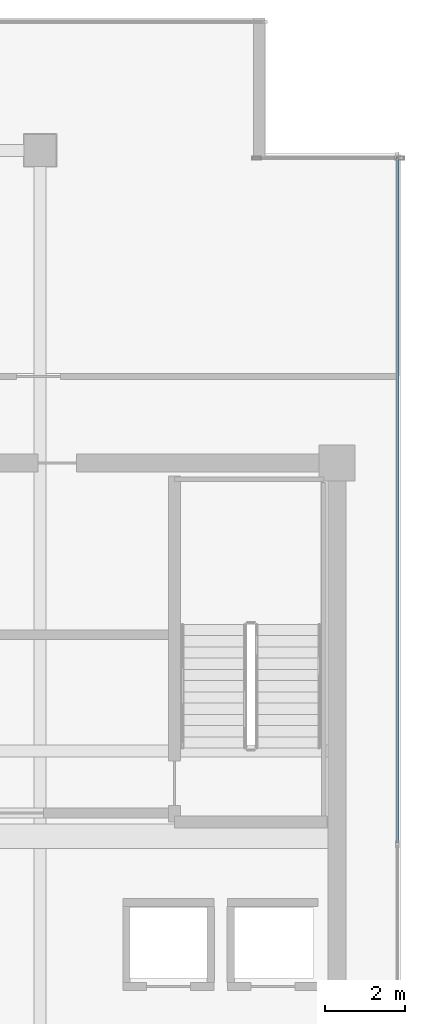
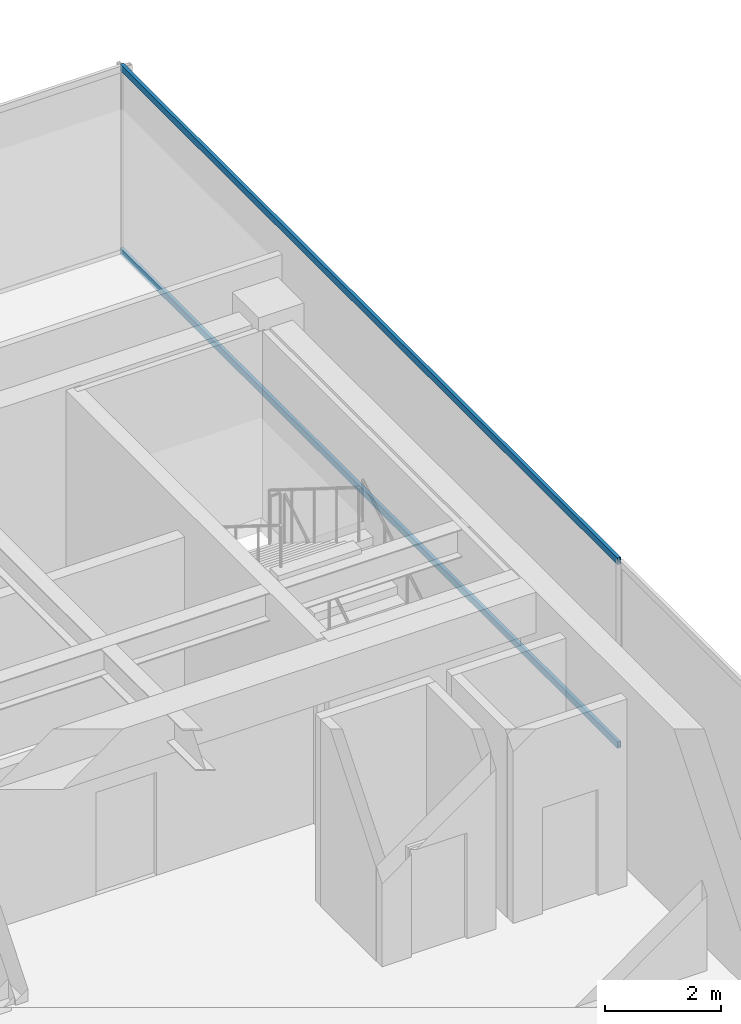
# One storey, part 18 of 34: 2 members, 1 element without a shape of its own.
"""IFC4 building model written with IfcOpenShell, lengths in metres."""

from ifc_helpers import new_model, si_unit, direction, frame, origin, origin_2d, place, context, subcontext, project, spatial, hollow_rectangle, extrude, source, transform, mapped, material, layer, layer_set, material_profile, profile_set, type_object, type_shapes, element, aggregate, save


model = new_model("IFC4")

# Units and contexts
model_context = context("Model", 3, precision=1e-05, world=origin(), true_north=direction((0.0, 1.0)))
body_context = subcontext(model_context, "Body", "Model", "MODEL_VIEW")
ifc_project = project(units=[si_unit("LENGTHUNIT", "METRE"), si_unit("AREAUNIT", "SQUARE_METRE"), si_unit("VOLUMEUNIT", "CUBIC_METRE"), si_unit("PLANEANGLEUNIT", "RADIAN"), si_unit("MASSUNIT", "GRAM", prefix="KILO")], contexts=[model_context])

# Site, building, storey
site_placement = place(None, origin())
site = spatial("IfcSite", under=ifc_project, at=site_placement, CompositionType="ELEMENT")
building_placement = place(site_placement, origin())
building = spatial("IfcBuilding", under=site, at=building_placement, Name="Haelvirn Gate Laboratories", CompositionType="ELEMENT")
storey_placement = place(building_placement, frame((0.0, 0.0, 322.800048828125)))
storey = spatial("IfcBuildingStorey", under=building, at=storey_placement, Name="L77", CompositionType="ELEMENT", Elevation=322.800048828125)

# Curtain wall, members
ifc_material_1 = material(Name="Anodised bronze unitised aluminium & triple low-E glass", Category="aluminium")
ifc_layer = layer(ifc_material_1, 0.176025390625, Name="CW-SYS-4")
ifc_layer_set = layer_set([ifc_layer], Name="Anodised bronze unitised aluminium & triple low-E glass")
curtain_wall_type = type_object("IfcCurtainWallType", Name="CW-SYS-4", PredefinedType="NOTDEFINED", material=ifc_layer_set)
curtain_wall_placement = place(storey_placement, origin())
curtain_wall = element("IfcCurtainWall", 1, at=curtain_wall_placement, inside=storey, type_object=curtain_wall_type, Name="L77 Unitised Curtain Wall CW-L77-P0-E07", PredefinedType="NOTDEFINED")
ifc_material_2 = material(Name="Extruded aluminium 6063-T6 (anodised bronze)", Category="aluminium")
ifc_material_profile = material_profile(ifc_material_2, hollow_rectangle(XDim=0.06494140625, YDim=0.139892578125, WallThickness=0.00390625, at=origin_2d()), Name="CWT-140x65x4")
ifc_profile_set = profile_set([ifc_material_profile], Name="Extruded aluminium 6063-T6 (anodised bronze)")
member_type = type_object("IfcMemberType", Name="CWT-T140", PredefinedType="USERDEFINED", material=ifc_profile_set)
shared_shape = source(origin(), body_context, "Body", "SweptSolid", [
    extrude(hollow_rectangle(XDim=0.06494140625, YDim=0.139892578125, WallThickness=0.00390625, at=origin_2d()), origin(), (0.0, 0.0, 1.0), 17.094970703125),
])
type_shapes(member_type, [shared_shape])
member_1_placement = place(storey_placement, frame((68.89990234375, 24.3349609375, 0.032470703125), z_axis=(0.0, 1.0, 0.0), x_axis=(-1.0, 0.0, 0.0)))
member_1 = element("IfcMember", 2, at=member_1_placement, type_object=member_type, Name="CW4 transom 2.1", ObjectType="TRANSOM", PredefinedType="USERDEFINED", context=body_context, shape_type="MappedRepresentation", body=[
    mapped(shared_shape, transform((0.0, 0.0, 0.0), scale=1.0)),
])
member_2_placement = place(storey_placement, frame((68.89990234375, 24.3349609375, 3.887451171875), z_axis=(0.0, 1.0, 0.0), x_axis=(-1.0, 0.0, 0.0)))
member_2 = element("IfcMember", 3, at=member_2_placement, type_object=member_type, Name="CW4 transom 2.2", ObjectType="TRANSOM", PredefinedType="USERDEFINED", context=body_context, shape_type="MappedRepresentation", body=[
    mapped(shared_shape, transform((0.0, 0.0, 0.0), scale=1.0)),
])
aggregate(curtain_wall, [member_1, member_2])

save(model, "model.ifc")
